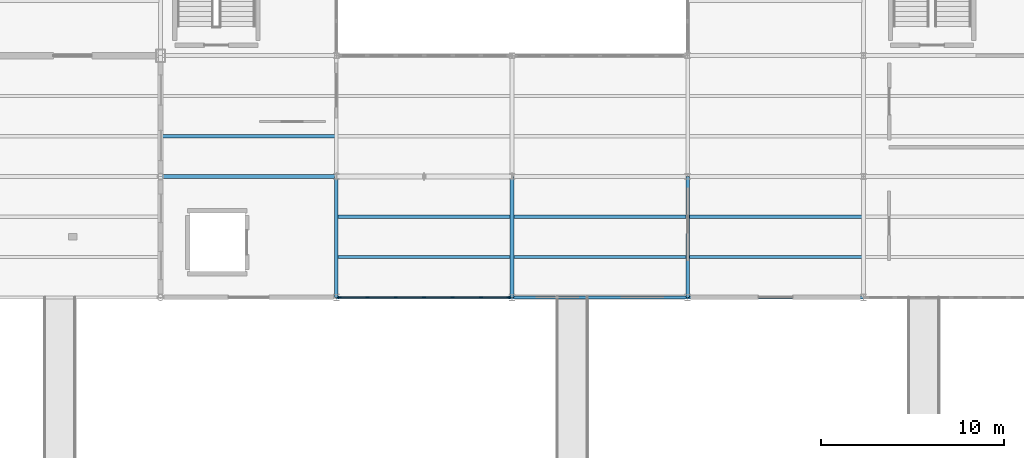
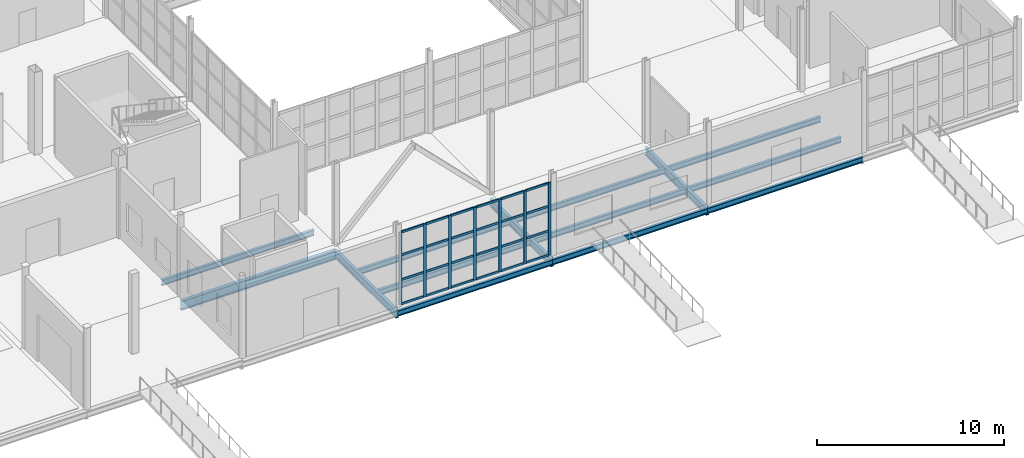
# One storey, part 34 of 85: 31 members, 14 beams, 1 element without a shape of its own.
"""IFC4 building model written with IfcOpenShell, lengths in metres."""

from ifc_helpers import new_model, si_unit, direction, frame, origin, origin_2d, place, context, subcontext, project, spatial, rectangle, i_section, extrude, material, layer, layer_set, material_profile, profile_set, type_object, element, aggregate, save


model = new_model("IFC4")

# Units and contexts
model_context = context("Model", 3, precision=1e-05, world=origin(), true_north=direction((0.0, 1.0)))
body_context = subcontext(model_context, "Body", "Model", "MODEL_VIEW")
ifc_project = project(units=[si_unit("LENGTHUNIT", "METRE"), si_unit("AREAUNIT", "SQUARE_METRE"), si_unit("VOLUMEUNIT", "CUBIC_METRE"), si_unit("PLANEANGLEUNIT", "RADIAN"), si_unit("MASSUNIT", "GRAM", prefix="KILO")], contexts=[model_context])

# Site, building, storey
site_placement = place(None, origin())
site = spatial("IfcSite", under=ifc_project, at=site_placement, CompositionType="ELEMENT")
building_placement = place(site_placement, origin())
building = spatial("IfcBuilding", under=site, at=building_placement, Name="Zarnetskaya Central Station", CompositionType="ELEMENT")
storey_placement = place(building_placement, origin())
storey = spatial("IfcBuildingStorey", under=building, at=storey_placement, Name="L00", CompositionType="ELEMENT", Elevation=0.0)

# Beams
ifc_material_1 = material(Name="Steel S355", Category="steel")
ifc_material_profile_1 = material_profile(ifc_material_1, i_section(OverallWidth=0.169921875, OverallDepth=0.360107421875, WebThickness=0.008056640625, FlangeThickness=0.0126953125, FilletRadius=0.01806640625, at=origin_2d()), Name="IPE 360")
ifc_profile_set_1 = profile_set([ifc_material_profile_1], Name="Steel S355")
beam_type_1 = type_object("IfcBeamType", Name="BM-SEC-360", PredefinedType="BEAM", material=ifc_profile_set_1)
beam_1_placement = place(storey_placement, frame((124.8798828125, 8.800048828125, -0.5), z_axis=(1.0, 0.0, 0.0), x_axis=(0.0, 1.0, 0.0)))
element("IfcBeam", 1, at=beam_1_placement, inside=storey, type_object=beam_type_1, Name="Secondary floor beam SEC-L00-Z32-PQ-23-1", PredefinedType="BEAM", context=body_context, shape_type="SweptSolid", body=[
    extrude(i_section(OverallWidth=0.169921875, OverallDepth=0.360107421875, WebThickness=0.008056640625, FlangeThickness=0.0126953125, FilletRadius=0.01806640625, at=origin_2d()), origin(), (0.0, 0.0, 1.0), 9.440185546875),
])
for number, where, z_axis, x_axis, name in (
    (2, (134.47998046875, 2.199951171875, -0.5), (1.0, 0.0, 0.0), (0.0, 1.0, 0.0), "Secondary floor beam SEC-L00-Z32-QR-12-1"),
    (3, (134.47998046875, 4.39990234375, -0.5), (1.0, 0.0, 0.0), (0.0, 1.0, 0.0), "Secondary floor beam SEC-L00-Z32-QR-12-2"),
    (4, (144.080078125, 2.199951171875, -0.5), (1.0, 0.0, 0.0), (0.0, 1.0, 0.0), "Secondary floor beam SEC-L00-Z32-RS-12-1"),
    (5, (144.080078125, 4.39990234375, -0.5), (1.0, 0.0, 0.0), (0.0, 1.0, 0.0), "Secondary floor beam SEC-L00-Z32-RS-12-2"),
):
    element("IfcBeam", number, at=place(storey_placement, frame(where, z_axis=z_axis, x_axis=x_axis)), inside=storey, type_object=beam_type_1, Name=name, PredefinedType="BEAM", context=body_context, shape_type="SweptSolid", body=[
        extrude(i_section(OverallWidth=0.169921875, OverallDepth=0.360107421875, WebThickness=0.008056640625, FlangeThickness=0.0126953125, FilletRadius=0.01806640625, at=origin_2d()), origin(), (0.0, 0.0, 1.0), 9.43994140625),
    ])
for number, where, z_axis, x_axis, name in (
    (6, (153.679931640625, 2.199951171875, -0.5), (1.0, 0.0, 0.0), (0.0, 1.0, 0.0), "Secondary floor beam SEC-L00-Z32-ST-12-1"),
    (7, (153.679931640625, 4.39990234375, -0.5), (1.0, 0.0, 0.0), (0.0, 1.0, 0.0), "Secondary floor beam SEC-L00-Z32-ST-12-2"),
):
    element("IfcBeam", number, at=place(storey_placement, frame(where, z_axis=z_axis, x_axis=x_axis)), inside=storey, type_object=beam_type_1, Name=name, PredefinedType="BEAM", context=body_context, shape_type="SweptSolid", body=[
        extrude(i_section(OverallWidth=0.169921875, OverallDepth=0.360107421875, WebThickness=0.008056640625, FlangeThickness=0.0126953125, FilletRadius=0.01806640625, at=origin_2d()), origin(), (0.0, 0.0, 1.0), 9.440185546875),
    ])
ifc_material_profile_2 = material_profile(ifc_material_1, i_section(OverallWidth=0.169921875, OverallDepth=0.360107421875, WebThickness=0.008056640625, FlangeThickness=0.0126953125, FilletRadius=0.01806640625, at=origin_2d()), Name="IPE 360")
ifc_profile_set_2 = profile_set([ifc_material_profile_2], Name="Steel S355")
beam_type_2 = type_object("IfcBeamType", Name="BM-SPN-V4", PredefinedType="SPANDREL", material=ifc_profile_set_2)
for number, where, z_axis, x_axis, name in (
    (8, (134.39990234375, 0.0, -0.5), (1.0, 0.0, 0.0), (0.0, 1.0, 0.0), "Grid girder GX-L00-1-QR"),
    (9, (144.0, 0.0, -0.5), (1.0, 0.0, 0.0), (0.0, 1.0, 0.0), "Grid girder GX-L00-1-RS"),
):
    element("IfcBeam", number, at=place(storey_placement, frame(where, z_axis=z_axis, x_axis=x_axis)), inside=storey, type_object=beam_type_2, Name=name, PredefinedType="SPANDREL", context=body_context, shape_type="SweptSolid", body=[
        extrude(i_section(OverallWidth=0.169921875, OverallDepth=0.360107421875, WebThickness=0.008056640625, FlangeThickness=0.0126953125, FilletRadius=0.01806640625, at=origin_2d()), origin(), (0.0, 0.0, 1.0), 9.60009765625),
    ])
beam_2_placement = place(storey_placement, frame((153.60009765625, 0.0, -0.5), z_axis=(1.0, 0.0, 0.0), x_axis=(0.0, 1.0, 0.0)))
element("IfcBeam", 10, at=beam_2_placement, inside=storey, type_object=beam_type_2, Name="Grid girder GX-L00-1-ST", PredefinedType="SPANDREL", context=body_context, shape_type="SweptSolid", body=[
    extrude(i_section(OverallWidth=0.169921875, OverallDepth=0.360107421875, WebThickness=0.008056640625, FlangeThickness=0.0126953125, FilletRadius=0.01806640625, at=origin_2d()), origin(), (0.0, 0.0, 1.0), 9.599853515625),
])

# Curtain wall, members
ifc_material_2 = material(Name="Low-E insulated glass", Category="glass")
ifc_layer = layer(ifc_material_2, 0.172119140625, Name="Low-E insulated glass", Category="glass")
ifc_layer_set = layer_set([ifc_layer], Name="Low-E insulated glass")
curtain_wall_type = type_object("IfcCurtainWallType", Name="CW-SYS-04", PredefinedType="USERDEFINED", material=ifc_layer_set)
curtain_wall_placement = place(storey_placement, origin())
curtain_wall = element("IfcCurtainWall", 11, at=curtain_wall_placement, inside=storey, type_object=curtain_wall_type, Name="Curtain wall CW-L00-101", ObjectType="CURTAIN WALL", PredefinedType="USERDEFINED")
ifc_material_3 = material(Name="Anodised aluminium", Category="aluminium")
ifc_material_profile_3 = material_profile(ifc_material_3, rectangle(XDim=0.070068359375, YDim=0.179931640625, at=origin_2d()), Name="ALU MULL 70x180")
ifc_profile_set_3 = profile_set([ifc_material_profile_3], Name="Anodised aluminium")
member_type_1 = type_object("IfcMemberType", Name="CW-MULL-180", PredefinedType="MULLION", material=ifc_profile_set_3)
member_1_placement = place(storey_placement, frame((143.81494140625, 0.0, 0.0), z_axis=(0.0, 0.0, 1.0), x_axis=(0.0, -1.0, 0.0)))
member_1 = element("IfcMember", 12, at=member_1_placement, type_object=member_type_1, Name="CW-15 mullion 1", PredefinedType="MULLION", context=body_context, shape_type="SweptSolid", body=[
    extrude(rectangle(XDim=0.070068359375, YDim=0.179931640625, at=origin_2d()), origin(), (0.0, 0.0, 1.0), 4.760009765625),
])
member_2_placement = place(storey_placement, frame((142.300048828125, 0.0, 0.0), z_axis=(0.0, 0.0, 1.0), x_axis=(0.0, -1.0, 0.0)))
member_2 = element("IfcMember", 13, at=member_2_placement, type_object=member_type_1, Name="CW-15 mullion 2", PredefinedType="MULLION", context=body_context, shape_type="SweptSolid", body=[
    extrude(rectangle(XDim=0.070068359375, YDim=0.179931640625, at=origin_2d()), origin(), (0.0, 0.0, 1.0), 4.760009765625),
])
member_3_placement = place(storey_placement, frame((140.75, 0.0, 0.0), z_axis=(0.0, 0.0, 1.0), x_axis=(0.0, -1.0, 0.0)))
member_3 = element("IfcMember", 14, at=member_3_placement, type_object=member_type_1, Name="CW-15 mullion 3", PredefinedType="MULLION", context=body_context, shape_type="SweptSolid", body=[
    extrude(rectangle(XDim=0.070068359375, YDim=0.179931640625, at=origin_2d()), origin(), (0.0, 0.0, 1.0), 4.760009765625),
])
member_4_placement = place(storey_placement, frame((139.199951171875, 0.0, 0.0), z_axis=(0.0, 0.0, 1.0), x_axis=(0.0, -1.0, 0.0)))
member_4 = element("IfcMember", 15, at=member_4_placement, type_object=member_type_1, Name="CW-15 mullion 4", PredefinedType="MULLION", context=body_context, shape_type="SweptSolid", body=[
    extrude(rectangle(XDim=0.070068359375, YDim=0.179931640625, at=origin_2d()), origin(), (0.0, 0.0, 1.0), 4.760009765625),
])
member_5_placement = place(storey_placement, frame((137.64990234375, 0.0, 0.0), z_axis=(0.0, 0.0, 1.0), x_axis=(0.0, -1.0, 0.0)))
member_5 = element("IfcMember", 16, at=member_5_placement, type_object=member_type_1, Name="CW-15 mullion 5", PredefinedType="MULLION", context=body_context, shape_type="SweptSolid", body=[
    extrude(rectangle(XDim=0.070068359375, YDim=0.179931640625, at=origin_2d()), origin(), (0.0, 0.0, 1.0), 4.760009765625),
])
member_6_placement = place(storey_placement, frame((136.10009765625, 0.0, 0.0), z_axis=(0.0, 0.0, 1.0), x_axis=(0.0, -1.0, 0.0)))
member_6 = element("IfcMember", 17, at=member_6_placement, type_object=member_type_1, Name="CW-15 mullion 6", PredefinedType="MULLION", context=body_context, shape_type="SweptSolid", body=[
    extrude(rectangle(XDim=0.070068359375, YDim=0.179931640625, at=origin_2d()), origin(), (0.0, 0.0, 1.0), 4.760009765625),
])
member_7_placement = place(storey_placement, frame((134.5849609375, 0.0, 0.0), z_axis=(0.0, 0.0, 1.0), x_axis=(0.0, -1.0, 0.0)))
member_7 = element("IfcMember", 18, at=member_7_placement, type_object=member_type_1, Name="CW-15 mullion 7", PredefinedType="MULLION", context=body_context, shape_type="SweptSolid", body=[
    extrude(rectangle(XDim=0.070068359375, YDim=0.179931640625, at=origin_2d()), origin(), (0.0, 0.0, 1.0), 4.760009765625),
])
ifc_material_profile_4 = material_profile(ifc_material_3, rectangle(XDim=0.070068359375, YDim=0.139892578125, at=origin_2d()), Name="ALU TRAN 70x140")
ifc_profile_set_4 = profile_set([ifc_material_profile_4], Name="Anodised aluminium")
member_type_2 = type_object("IfcMemberType", Name="CW-TRAN-140", PredefinedType="USERDEFINED", material=ifc_profile_set_4)
member_8_placement = place(storey_placement, frame((143.780029296875, 0.0, 0.034912109375), z_axis=(-1.0, 0.0, 0.0), x_axis=(0.0, -1.0, 0.0)))
member_8 = element("IfcMember", 19, at=member_8_placement, type_object=member_type_2, Name="CW-15 transom 1.1", ObjectType="TRANSOM", PredefinedType="USERDEFINED", context=body_context, shape_type="SweptSolid", body=[
    extrude(rectangle(XDim=0.070068359375, YDim=0.139892578125, at=origin_2d()), origin(), (0.0, 0.0, 1.0), 1.445068359375),
])
member_9_placement = place(storey_placement, frame((143.780029296875, 0.0, 1.617919921875), z_axis=(-1.0, 0.0, 0.0), x_axis=(0.0, -1.0, 0.0)))
member_9 = element("IfcMember", 20, at=member_9_placement, type_object=member_type_2, Name="CW-15 transom 1.2", ObjectType="TRANSOM", PredefinedType="USERDEFINED", context=body_context, shape_type="SweptSolid", body=[
    extrude(rectangle(XDim=0.070068359375, YDim=0.139892578125, at=origin_2d()), origin(), (0.0, 0.0, 1.0), 1.445068359375),
])
member_10_placement = place(storey_placement, frame((143.780029296875, 0.0, 3.237060546875), z_axis=(-1.0, 0.0, 0.0), x_axis=(0.0, -1.0, 0.0)))
member_10 = element("IfcMember", 21, at=member_10_placement, type_object=member_type_2, Name="CW-15 transom 1.3", ObjectType="TRANSOM", PredefinedType="USERDEFINED", context=body_context, shape_type="SweptSolid", body=[
    extrude(rectangle(XDim=0.070068359375, YDim=0.139892578125, at=origin_2d()), origin(), (0.0, 0.0, 1.0), 1.445068359375),
])
member_11_placement = place(storey_placement, frame((143.780029296875, 0.0, 4.72509765625), z_axis=(-1.0, 0.0, 0.0), x_axis=(0.0, -1.0, 0.0)))
member_11 = element("IfcMember", 22, at=member_11_placement, type_object=member_type_2, Name="CW-15 transom 1.4", ObjectType="TRANSOM", PredefinedType="USERDEFINED", context=body_context, shape_type="SweptSolid", body=[
    extrude(rectangle(XDim=0.070068359375, YDim=0.139892578125, at=origin_2d()), origin(), (0.0, 0.0, 1.0), 1.445068359375),
])
member_12_placement = place(storey_placement, frame((142.264892578125, 0.0, 0.034912109375), z_axis=(-1.0, 0.0, 0.0), x_axis=(0.0, -1.0, 0.0)))
member_12 = element("IfcMember", 23, at=member_12_placement, type_object=member_type_2, Name="CW-15 transom 2.1", ObjectType="TRANSOM", PredefinedType="USERDEFINED", context=body_context, shape_type="SweptSolid", body=[
    extrude(rectangle(XDim=0.070068359375, YDim=0.139892578125, at=origin_2d()), origin(), (0.0, 0.0, 1.0), 1.47998046875),
])
member_13_placement = place(storey_placement, frame((142.264892578125, 0.0, 1.617919921875), z_axis=(-1.0, 0.0, 0.0), x_axis=(0.0, -1.0, 0.0)))
member_13 = element("IfcMember", 24, at=member_13_placement, type_object=member_type_2, Name="CW-15 transom 2.2", ObjectType="TRANSOM", PredefinedType="USERDEFINED", context=body_context, shape_type="SweptSolid", body=[
    extrude(rectangle(XDim=0.070068359375, YDim=0.139892578125, at=origin_2d()), origin(), (0.0, 0.0, 1.0), 1.47998046875),
])
member_14_placement = place(storey_placement, frame((142.264892578125, 0.0, 3.237060546875), z_axis=(-1.0, 0.0, 0.0), x_axis=(0.0, -1.0, 0.0)))
member_14 = element("IfcMember", 25, at=member_14_placement, type_object=member_type_2, Name="CW-15 transom 2.3", ObjectType="TRANSOM", PredefinedType="USERDEFINED", context=body_context, shape_type="SweptSolid", body=[
    extrude(rectangle(XDim=0.070068359375, YDim=0.139892578125, at=origin_2d()), origin(), (0.0, 0.0, 1.0), 1.47998046875),
])
member_15_placement = place(storey_placement, frame((142.264892578125, 0.0, 4.72509765625), z_axis=(-1.0, 0.0, 0.0), x_axis=(0.0, -1.0, 0.0)))
member_15 = element("IfcMember", 26, at=member_15_placement, type_object=member_type_2, Name="CW-15 transom 2.4", ObjectType="TRANSOM", PredefinedType="USERDEFINED", context=body_context, shape_type="SweptSolid", body=[
    extrude(rectangle(XDim=0.070068359375, YDim=0.139892578125, at=origin_2d()), origin(), (0.0, 0.0, 1.0), 1.47998046875),
])
member_16_placement = place(storey_placement, frame((140.715087890625, 0.0, 0.034912109375), z_axis=(-1.0, 0.0, 0.0), x_axis=(0.0, -1.0, 0.0)))
member_16 = element("IfcMember", 27, at=member_16_placement, type_object=member_type_2, Name="CW-15 transom 3.1", ObjectType="TRANSOM", PredefinedType="USERDEFINED", context=body_context, shape_type="SweptSolid", body=[
    extrude(rectangle(XDim=0.070068359375, YDim=0.139892578125, at=origin_2d()), origin(), (0.0, 0.0, 1.0), 1.47998046875),
])
member_17_placement = place(storey_placement, frame((140.715087890625, 0.0, 1.617919921875), z_axis=(-1.0, 0.0, 0.0), x_axis=(0.0, -1.0, 0.0)))
member_17 = element("IfcMember", 28, at=member_17_placement, type_object=member_type_2, Name="CW-15 transom 3.2", ObjectType="TRANSOM", PredefinedType="USERDEFINED", context=body_context, shape_type="SweptSolid", body=[
    extrude(rectangle(XDim=0.070068359375, YDim=0.139892578125, at=origin_2d()), origin(), (0.0, 0.0, 1.0), 1.47998046875),
])
member_18_placement = place(storey_placement, frame((140.715087890625, 0.0, 3.237060546875), z_axis=(-1.0, 0.0, 0.0), x_axis=(0.0, -1.0, 0.0)))
member_18 = element("IfcMember", 29, at=member_18_placement, type_object=member_type_2, Name="CW-15 transom 3.3", ObjectType="TRANSOM", PredefinedType="USERDEFINED", context=body_context, shape_type="SweptSolid", body=[
    extrude(rectangle(XDim=0.070068359375, YDim=0.139892578125, at=origin_2d()), origin(), (0.0, 0.0, 1.0), 1.47998046875),
])
member_19_placement = place(storey_placement, frame((140.715087890625, 0.0, 4.72509765625), z_axis=(-1.0, 0.0, 0.0), x_axis=(0.0, -1.0, 0.0)))
member_19 = element("IfcMember", 30, at=member_19_placement, type_object=member_type_2, Name="CW-15 transom 3.4", ObjectType="TRANSOM", PredefinedType="USERDEFINED", context=body_context, shape_type="SweptSolid", body=[
    extrude(rectangle(XDim=0.070068359375, YDim=0.139892578125, at=origin_2d()), origin(), (0.0, 0.0, 1.0), 1.47998046875),
])
member_20_placement = place(storey_placement, frame((139.1650390625, 0.0, 0.034912109375), z_axis=(-1.0, 0.0, 0.0), x_axis=(0.0, -1.0, 0.0)))
member_20 = element("IfcMember", 31, at=member_20_placement, type_object=member_type_2, Name="CW-15 transom 4.1", ObjectType="TRANSOM", PredefinedType="USERDEFINED", context=body_context, shape_type="SweptSolid", body=[
    extrude(rectangle(XDim=0.070068359375, YDim=0.139892578125, at=origin_2d()), origin(), (0.0, 0.0, 1.0), 1.47998046875),
])
member_21_placement = place(storey_placement, frame((139.1650390625, 0.0, 1.617919921875), z_axis=(-1.0, 0.0, 0.0), x_axis=(0.0, -1.0, 0.0)))
member_21 = element("IfcMember", 32, at=member_21_placement, type_object=member_type_2, Name="CW-15 transom 4.2", ObjectType="TRANSOM", PredefinedType="USERDEFINED", context=body_context, shape_type="SweptSolid", body=[
    extrude(rectangle(XDim=0.070068359375, YDim=0.139892578125, at=origin_2d()), origin(), (0.0, 0.0, 1.0), 1.47998046875),
])
member_22_placement = place(storey_placement, frame((139.1650390625, 0.0, 3.237060546875), z_axis=(-1.0, 0.0, 0.0), x_axis=(0.0, -1.0, 0.0)))
member_22 = element("IfcMember", 33, at=member_22_placement, type_object=member_type_2, Name="CW-15 transom 4.3", ObjectType="TRANSOM", PredefinedType="USERDEFINED", context=body_context, shape_type="SweptSolid", body=[
    extrude(rectangle(XDim=0.070068359375, YDim=0.139892578125, at=origin_2d()), origin(), (0.0, 0.0, 1.0), 1.47998046875),
])
member_23_placement = place(storey_placement, frame((139.1650390625, 0.0, 4.72509765625), z_axis=(-1.0, 0.0, 0.0), x_axis=(0.0, -1.0, 0.0)))
member_23 = element("IfcMember", 34, at=member_23_placement, type_object=member_type_2, Name="CW-15 transom 4.4", ObjectType="TRANSOM", PredefinedType="USERDEFINED", context=body_context, shape_type="SweptSolid", body=[
    extrude(rectangle(XDim=0.070068359375, YDim=0.139892578125, at=origin_2d()), origin(), (0.0, 0.0, 1.0), 1.47998046875),
])
member_24_placement = place(storey_placement, frame((137.614990234375, 0.0, 0.034912109375), z_axis=(-1.0, 0.0, 0.0), x_axis=(0.0, -1.0, 0.0)))
member_24 = element("IfcMember", 35, at=member_24_placement, type_object=member_type_2, Name="CW-15 transom 5.1", ObjectType="TRANSOM", PredefinedType="USERDEFINED", context=body_context, shape_type="SweptSolid", body=[
    extrude(rectangle(XDim=0.070068359375, YDim=0.139892578125, at=origin_2d()), origin(), (0.0, 0.0, 1.0), 1.47998046875),
])
member_25_placement = place(storey_placement, frame((137.614990234375, 0.0, 1.617919921875), z_axis=(-1.0, 0.0, 0.0), x_axis=(0.0, -1.0, 0.0)))
member_25 = element("IfcMember", 36, at=member_25_placement, type_object=member_type_2, Name="CW-15 transom 5.2", ObjectType="TRANSOM", PredefinedType="USERDEFINED", context=body_context, shape_type="SweptSolid", body=[
    extrude(rectangle(XDim=0.070068359375, YDim=0.139892578125, at=origin_2d()), origin(), (0.0, 0.0, 1.0), 1.47998046875),
])
member_26_placement = place(storey_placement, frame((137.614990234375, 0.0, 3.237060546875), z_axis=(-1.0, 0.0, 0.0), x_axis=(0.0, -1.0, 0.0)))
member_26 = element("IfcMember", 37, at=member_26_placement, type_object=member_type_2, Name="CW-15 transom 5.3", ObjectType="TRANSOM", PredefinedType="USERDEFINED", context=body_context, shape_type="SweptSolid", body=[
    extrude(rectangle(XDim=0.070068359375, YDim=0.139892578125, at=origin_2d()), origin(), (0.0, 0.0, 1.0), 1.47998046875),
])
member_27_placement = place(storey_placement, frame((137.614990234375, 0.0, 4.72509765625), z_axis=(-1.0, 0.0, 0.0), x_axis=(0.0, -1.0, 0.0)))
member_27 = element("IfcMember", 38, at=member_27_placement, type_object=member_type_2, Name="CW-15 transom 5.4", ObjectType="TRANSOM", PredefinedType="USERDEFINED", context=body_context, shape_type="SweptSolid", body=[
    extrude(rectangle(XDim=0.070068359375, YDim=0.139892578125, at=origin_2d()), origin(), (0.0, 0.0, 1.0), 1.47998046875),
])
member_28_placement = place(storey_placement, frame((136.06494140625, 0.0, 0.034912109375), z_axis=(-1.0, 0.0, 0.0), x_axis=(0.0, -1.0, 0.0)))
member_28 = element("IfcMember", 39, at=member_28_placement, type_object=member_type_2, Name="CW-15 transom 6.1", ObjectType="TRANSOM", PredefinedType="USERDEFINED", context=body_context, shape_type="SweptSolid", body=[
    extrude(rectangle(XDim=0.070068359375, YDim=0.139892578125, at=origin_2d()), origin(), (0.0, 0.0, 1.0), 1.44482421875),
])
member_29_placement = place(storey_placement, frame((136.06494140625, 0.0, 1.617919921875), z_axis=(-1.0, 0.0, 0.0), x_axis=(0.0, -1.0, 0.0)))
member_29 = element("IfcMember", 40, at=member_29_placement, type_object=member_type_2, Name="CW-15 transom 6.2", ObjectType="TRANSOM", PredefinedType="USERDEFINED", context=body_context, shape_type="SweptSolid", body=[
    extrude(rectangle(XDim=0.070068359375, YDim=0.139892578125, at=origin_2d()), origin(), (0.0, 0.0, 1.0), 1.44482421875),
])
member_30_placement = place(storey_placement, frame((136.06494140625, 0.0, 3.237060546875), z_axis=(-1.0, 0.0, 0.0), x_axis=(0.0, -1.0, 0.0)))
member_30 = element("IfcMember", 41, at=member_30_placement, type_object=member_type_2, Name="CW-15 transom 6.3", ObjectType="TRANSOM", PredefinedType="USERDEFINED", context=body_context, shape_type="SweptSolid", body=[
    extrude(rectangle(XDim=0.070068359375, YDim=0.139892578125, at=origin_2d()), origin(), (0.0, 0.0, 1.0), 1.44482421875),
])
member_31_placement = place(storey_placement, frame((136.06494140625, 0.0, 4.72509765625), z_axis=(-1.0, 0.0, 0.0), x_axis=(0.0, -1.0, 0.0)))
member_31 = element("IfcMember", 42, at=member_31_placement, type_object=member_type_2, Name="CW-15 transom 6.4", ObjectType="TRANSOM", PredefinedType="USERDEFINED", context=body_context, shape_type="SweptSolid", body=[
    extrude(rectangle(XDim=0.070068359375, YDim=0.139892578125, at=origin_2d()), origin(), (0.0, 0.0, 1.0), 1.44482421875),
])
aggregate(curtain_wall, [member_1, member_2, member_3, member_4, member_5, member_6, member_7, member_8, member_9, member_10, member_11, member_12, member_13, member_14, member_15, member_16, member_17, member_18, member_19, member_20, member_21, member_22, member_23, member_24, member_25, member_26, member_27, member_28, member_29, member_30, member_31])

# Beams
ifc_material_profile_5 = material_profile(ifc_material_1, i_section(OverallWidth=0.199951171875, OverallDepth=0.5, WebThickness=0.01025390625, FlangeThickness=0.01611328125, FilletRadius=0.02099609375, at=origin_2d()), Name="IPE 500")
ifc_profile_set_5 = profile_set([ifc_material_profile_5], Name="Steel S355")
beam_type_3 = type_object("IfcBeamType", Name="GD-FLR-500", PredefinedType="USERDEFINED", material=ifc_profile_set_5)
for number, where, z_axis, x_axis, name in (
    (43, (134.39990234375, 0.0, -0.570068359375), (0.0, 1.0, 0.0), (-1.0, 0.0, 0.0), "Grid girder GY-L00-Q-12"),
    (44, (144.0, 0.0, -0.570068359375), (0.0, 1.0, 0.0), (-1.0, 0.0, 0.0), "Grid girder GY-L00-R-12"),
    (45, (153.60009765625, 0.0, -0.570068359375), (0.0, 1.0, 0.0), (-1.0, 0.0, 0.0), "Grid girder GY-L00-S-12"),
):
    element("IfcBeam", number, at=place(storey_placement, frame(where, z_axis=z_axis, x_axis=x_axis)), inside=storey, type_object=beam_type_3, Name=name, ObjectType="GIRDER", PredefinedType="USERDEFINED", context=body_context, shape_type="SweptSolid", body=[
        extrude(i_section(OverallWidth=0.199951171875, OverallDepth=0.5, WebThickness=0.01025390625, FlangeThickness=0.01611328125, FilletRadius=0.02099609375, at=origin_2d()), origin(), (0.0, 0.0, 1.0), 6.60009765625),
    ])
ifc_material_profile_6 = material_profile(ifc_material_1, i_section(OverallWidth=0.219970703125, OverallDepth=0.60009765625, WebThickness=0.011962890625, FlangeThickness=0.01904296875, FilletRadius=0.02392578125, at=origin_2d()), Name="IPE 600")
ifc_profile_set_6 = profile_set([ifc_material_profile_6], Name="Steel S355")
beam_type_4 = type_object("IfcBeamType", Name="GD-FLR-600", PredefinedType="USERDEFINED", material=ifc_profile_set_6)
beam_3_placement = place(storey_placement, frame((124.800048828125, 6.60009765625, -0.6201171875), z_axis=(1.0, 0.0, 0.0), x_axis=(0.0, 1.0, 0.0)))
element("IfcBeam", 46, at=beam_3_placement, inside=storey, type_object=beam_type_4, Name="Grid girder GX-L00-2-PQ", ObjectType="GIRDER", PredefinedType="USERDEFINED", context=body_context, shape_type="SweptSolid", body=[
    extrude(i_section(OverallWidth=0.219970703125, OverallDepth=0.60009765625, WebThickness=0.011962890625, FlangeThickness=0.01904296875, FilletRadius=0.02392578125, at=origin_2d()), origin(), (0.0, 0.0, 1.0), 9.599853515625),
])

save(model, "model.ifc")
